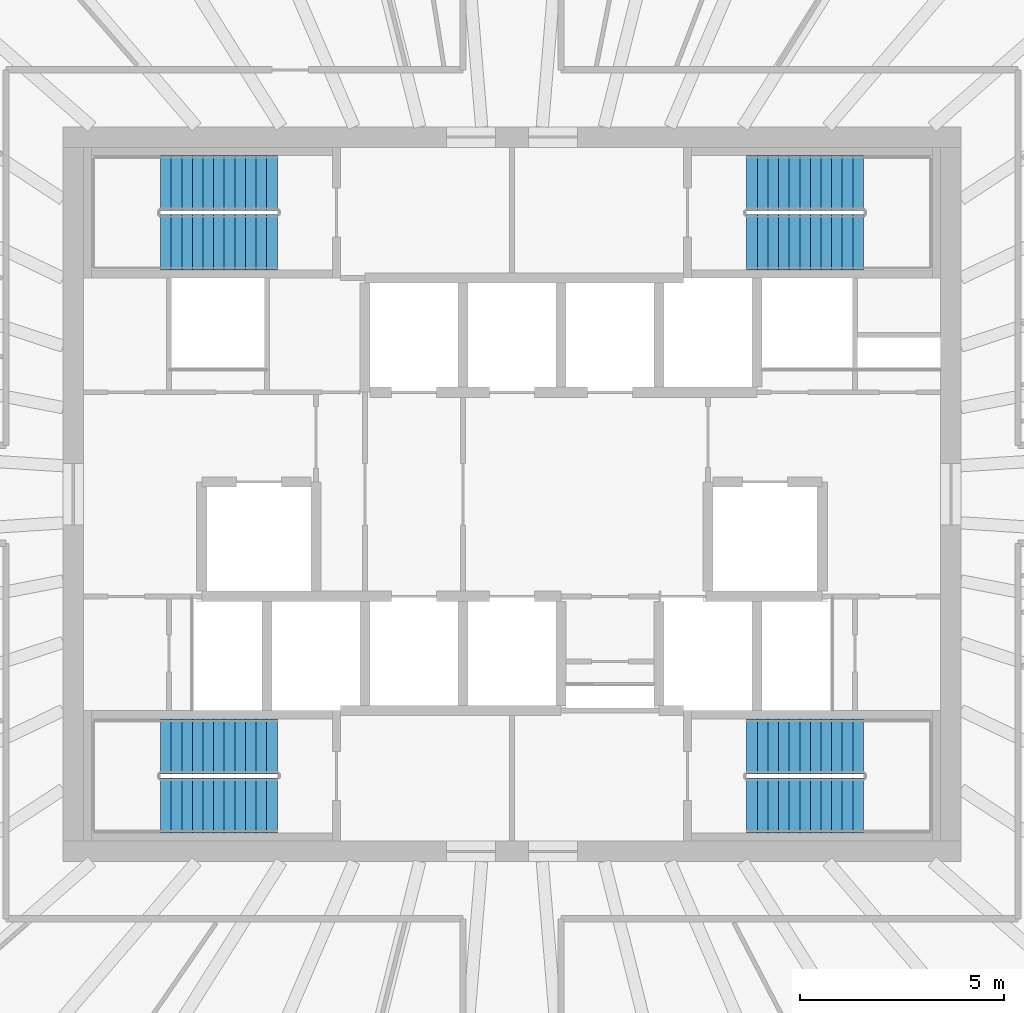
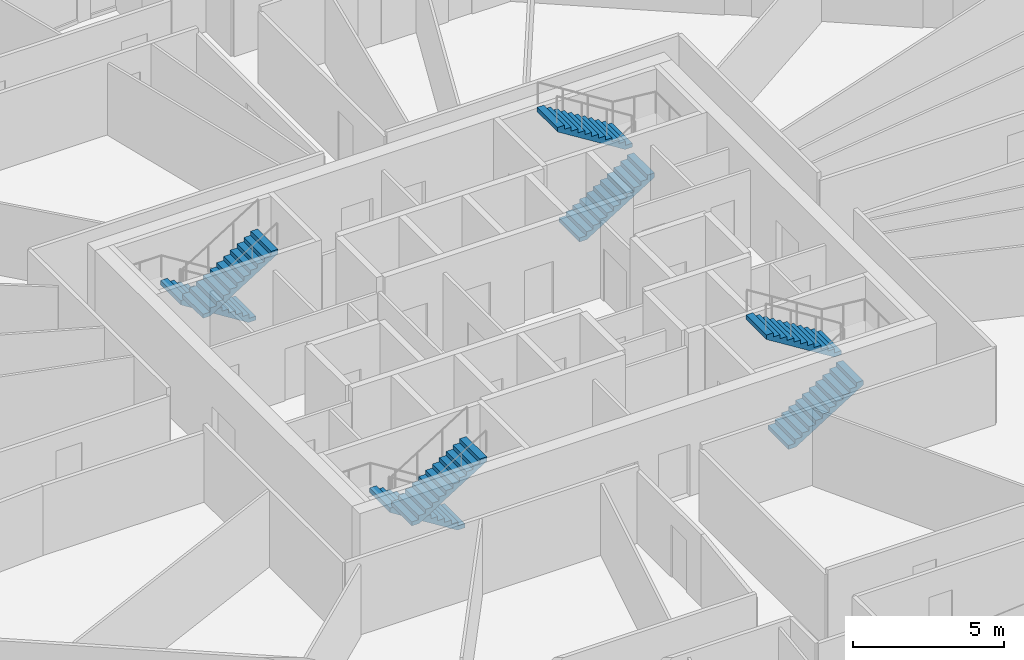
# One storey, part 11 of 12: 8 stair flights, 4 elements without a shape of their own.
"""IFC4 building model written with IfcOpenShell, lengths in metres."""

from ifc_helpers import new_model, si_unit, direction, frame, origin, place, context, subcontext, project, spatial, polyline, outline, extrude, source, transform, mapped, material, type_object, element, aggregate, save


model = new_model("IFC4")

# Units and contexts
model_context = context("Model", 3, precision=1e-05, world=origin(), true_north=direction((0.0, 1.0)))
body_context = subcontext(model_context, "Body", "Model", "MODEL_VIEW")
ifc_project = project(units=[si_unit("LENGTHUNIT", "METRE"), si_unit("AREAUNIT", "SQUARE_METRE"), si_unit("VOLUMEUNIT", "CUBIC_METRE"), si_unit("PLANEANGLEUNIT", "RADIAN"), si_unit("MASSUNIT", "GRAM", prefix="KILO")], contexts=[model_context])

# Site, building, storey
site_placement = place(None, origin())
site = spatial("IfcSite", under=ifc_project, at=site_placement, CompositionType="ELEMENT")
building_placement = place(site_placement, origin())
building = spatial("IfcBuilding", under=site, at=building_placement, Name="Embergate Tower", CompositionType="ELEMENT")
storey_placement = place(building_placement, frame((0.0, 0.0, 250.0)))
storey = spatial("IfcBuildingStorey", under=building, at=storey_placement, Name="L57", CompositionType="ELEMENT", Elevation=250.0)

# Stair, stair flights
ifc_material_1 = material(Name="Exit stair")
stair_type = type_object("IfcStairType", Name="Exit stair", PredefinedType="HALF_TURN_STAIR", material=ifc_material_1)
stair_1_placement = place(storey_placement, origin())
stair_1 = element("IfcStair", 1, at=stair_1_placement, inside=storey, type_object=stair_type, Name="L57 Exit stair 1", PredefinedType="HALF_TURN_STAIR")
ifc_material_2 = material(Name="Concrete C40", Category="concrete")
stair_flight_type = type_object("IfcStairFlightType", Name="Stair flight reinforced concrete", PredefinedType="STRAIGHT", material=ifc_material_2)
shared_shape = source(origin(), body_context, "Body", "SweptSolid", [
    extrude(outline(polyline([(0.0, 0.0), (0.0, 0.16259765625), (0.260009765625, 0.16259765625), (0.260009765625, 0.324951171875), (0.52001953125, 0.324951171875), (0.52001953125, 0.487548828125), (0.780029296875, 0.487548828125), (0.780029296875, 0.64990234375), (1.0400390625, 0.64990234375), (1.0400390625, 0.8125), (1.300048828125, 0.8125), (1.300048828125, 0.97509765625), (1.56005859375, 0.97509765625), (1.56005859375, 1.137451171875), (1.820068359375, 1.137451171875), (1.820068359375, 1.300048828125), (2.080078125, 1.300048828125), (2.080078125, 1.46240234375), (2.340087890625, 1.46240234375), (2.340087890625, 1.625), (2.60009765625, 1.625), (2.60009765625, 1.78759765625), (2.860107421875, 1.78759765625), (2.860107421875, 1.949951171875), (2.860107421875, 1.61083984375), (0.28271484375, 0.0), (0.0, 0.0)])), frame((0.0, 0.675048828125, 0.0), z_axis=(0.0, -1.0, 0.0), x_axis=(1.0, 0.0, 0.0)), (0.0, 0.0, 1.0), 1.35009765625),
])
stair_flight_1_placement = place(storey_placement, frame((-5.75, 7.625, 0.0), z_axis=(0.0, 0.0, 1.0), x_axis=(-1.0, 0.0, 0.0)))
stair_flight_1 = element("IfcStairFlight", 2, at=stair_flight_1_placement, type_object=stair_flight_type, Name="ST1 flight 1", NumberOfRisers=12, NumberOfTreads=11, PredefinedType="STRAIGHT", RiserHeight=0.1625, TreadLength=0.26, context=body_context, shape_type="MappedRepresentation", body=[
    mapped(shared_shape, transform((0.0, 0.0, 0.0))),
])
stair_flight_2_placement = place(storey_placement, frame((-8.610107421875, 6.175048828125, 1.949951171875), z_axis=(0.0, 0.0, 1.0), x_axis=(1.0, 0.0, 0.0)))
stair_flight_2 = element("IfcStairFlight", 3, at=stair_flight_2_placement, type_object=stair_flight_type, Name="ST1 flight 2", NumberOfRisers=12, NumberOfTreads=11, PredefinedType="STRAIGHT", RiserHeight=0.1625, TreadLength=0.26, context=body_context, shape_type="MappedRepresentation", body=[
    mapped(shared_shape, transform((0.0, 0.0, 0.0))),
])
aggregate(stair_1, [stair_flight_1, stair_flight_2])

stair_2_placement = place(storey_placement, origin())
stair_2 = element("IfcStair", 4, at=stair_2_placement, inside=storey, type_object=stair_type, Name="L57 Exit stair 2", PredefinedType="HALF_TURN_STAIR")
stair_flight_3_placement = place(storey_placement, frame((5.75, 6.175048828125, 0.0), z_axis=(0.0, 0.0, 1.0), x_axis=(1.0, 0.0, 0.0)))
stair_flight_3 = element("IfcStairFlight", 5, at=stair_flight_3_placement, type_object=stair_flight_type, Name="ST2 flight 1", NumberOfRisers=12, NumberOfTreads=11, PredefinedType="STRAIGHT", RiserHeight=0.1625, TreadLength=0.26, context=body_context, shape_type="MappedRepresentation", body=[
    mapped(shared_shape, transform((0.0, 0.0, 0.0))),
])
stair_flight_4_placement = place(storey_placement, frame((8.610107421875, 7.625, 1.949951171875), z_axis=(0.0, 0.0, 1.0), x_axis=(-1.0, 0.0, 0.0)))
stair_flight_4 = element("IfcStairFlight", 6, at=stair_flight_4_placement, type_object=stair_flight_type, Name="ST2 flight 2", NumberOfRisers=12, NumberOfTreads=11, PredefinedType="STRAIGHT", RiserHeight=0.1625, TreadLength=0.26, context=body_context, shape_type="MappedRepresentation", body=[
    mapped(shared_shape, transform((0.0, 0.0, 0.0))),
])
aggregate(stair_2, [stair_flight_3, stair_flight_4])

stair_3_placement = place(storey_placement, origin())
stair_3 = element("IfcStair", 7, at=stair_3_placement, inside=storey, type_object=stair_type, Name="L57 Exit stair 3", PredefinedType="HALF_TURN_STAIR")
stair_flight_5_placement = place(storey_placement, frame((-5.75, -6.175048828125, 0.0), z_axis=(0.0, 0.0, 1.0), x_axis=(-1.0, 0.0, 0.0)))
stair_flight_5 = element("IfcStairFlight", 8, at=stair_flight_5_placement, type_object=stair_flight_type, Name="ST3 flight 1", NumberOfRisers=12, NumberOfTreads=11, PredefinedType="STRAIGHT", RiserHeight=0.1625, TreadLength=0.26, context=body_context, shape_type="MappedRepresentation", body=[
    mapped(shared_shape, transform((0.0, 0.0, 0.0))),
])
stair_flight_6_placement = place(storey_placement, frame((-8.610107421875, -7.625, 1.949951171875), z_axis=(0.0, 0.0, 1.0), x_axis=(1.0, 0.0, 0.0)))
stair_flight_6 = element("IfcStairFlight", 9, at=stair_flight_6_placement, type_object=stair_flight_type, Name="ST3 flight 2", NumberOfRisers=12, NumberOfTreads=11, PredefinedType="STRAIGHT", RiserHeight=0.1625, TreadLength=0.26, context=body_context, shape_type="MappedRepresentation", body=[
    mapped(shared_shape, transform((0.0, 0.0, 0.0))),
])
aggregate(stair_3, [stair_flight_5, stair_flight_6])

stair_4_placement = place(storey_placement, origin())
stair_4 = element("IfcStair", 10, at=stair_4_placement, inside=storey, type_object=stair_type, Name="L57 Exit stair 4", PredefinedType="HALF_TURN_STAIR")
stair_flight_7_placement = place(storey_placement, frame((5.75, -7.625, 0.0), z_axis=(0.0, 0.0, 1.0), x_axis=(1.0, 0.0, 0.0)))
stair_flight_7 = element("IfcStairFlight", 11, at=stair_flight_7_placement, type_object=stair_flight_type, Name="ST4 flight 1", NumberOfRisers=12, NumberOfTreads=11, PredefinedType="STRAIGHT", RiserHeight=0.1625, TreadLength=0.26, context=body_context, shape_type="MappedRepresentation", body=[
    mapped(shared_shape, transform((0.0, 0.0, 0.0))),
])
stair_flight_8_placement = place(storey_placement, frame((8.610107421875, -6.175048828125, 1.949951171875), z_axis=(0.0, 0.0, 1.0), x_axis=(-1.0, 0.0, 0.0)))
stair_flight_8 = element("IfcStairFlight", 12, at=stair_flight_8_placement, type_object=stair_flight_type, Name="ST4 flight 2", NumberOfRisers=12, NumberOfTreads=11, PredefinedType="STRAIGHT", RiserHeight=0.1625, TreadLength=0.26, context=body_context, shape_type="MappedRepresentation", body=[
    mapped(shared_shape, transform((0.0, 0.0, 0.0))),
])
aggregate(stair_4, [stair_flight_7, stair_flight_8])

save(model, "model.ifc")
